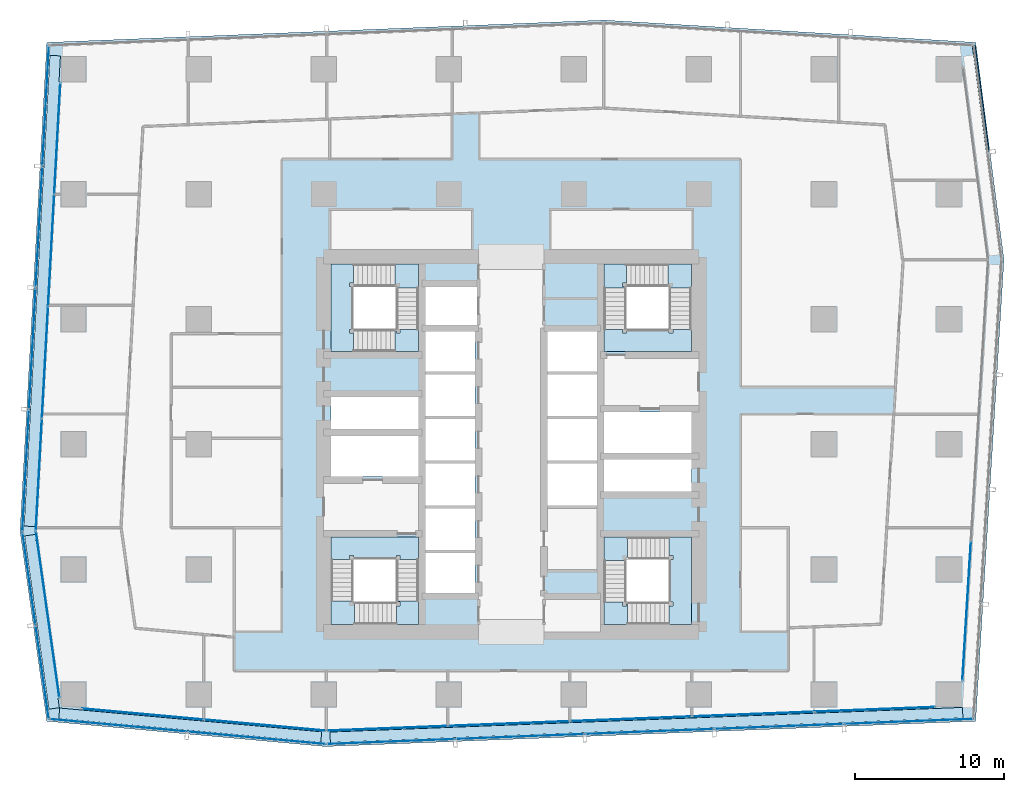
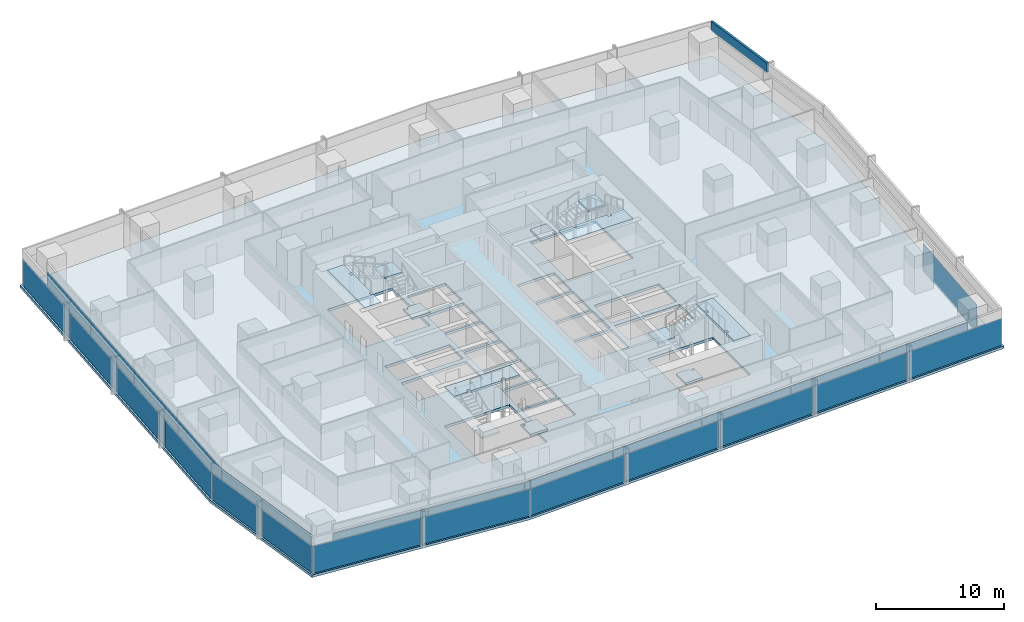
# One storey, part 27 of 40: 30 plates, 13 slabs, 1 member, 14 elements without a shape of their own.
"""IFC4 building model written with IfcOpenShell, lengths in metres."""

import ifcopenshell
import ifcopenshell.guid

model = None  # the IFC model being written
_history = None  # IfcOwnerHistory: only IFC2X3 demands one
_inside = {}  # id of a spatial element -> (the spatial element, [elements in it])
_under = {}  # id of a project, library or spatial element -> (it, [spatial elements below it])
_declared = {}  # id of a project -> (the project, [libraries it declares])
_typed = {}  # id of a type object -> (the type object, [elements of that type])
_made_of = {}  # id of a material, layer set ... -> (it, [elements and type objects made of it])


def new_model(schema):
    """Start an empty IFC model of exactly this schema.

    Asked for "IFC4X3", IfcOpenShell would pick the latest addendum, in which some entities
    have other attributes; the version numbers below select the first issue.
    IFC2X3 requires an IfcOwnerHistory on every rooted entity: one is made here for all.
    """
    global model, _history
    if schema == "IFC4X3":
        model = ifcopenshell.file(schema_version=(4, 3, 0, 0))
    else:
        model = ifcopenshell.file(schema=schema)
    _inside.clear()
    _under.clear()
    _declared.clear()
    _typed.clear()
    _made_of.clear()
    _history = None
    if model.schema == "IFC2X3":
        org = make("IfcOrganization", Name="unknown")
        user = make(
            "IfcPersonAndOrganization",
            ThePerson=make("IfcPerson", FamilyName="unknown"),
            TheOrganization=org,
        )
        app = make(
            "IfcApplication",
            ApplicationDeveloper=org,
            Version="unknown",
            ApplicationFullName="unknown",
            ApplicationIdentifier="unknown",
        )
        _history = make(
            "IfcOwnerHistory",
            OwningUser=user,
            OwningApplication=app,
            ChangeAction="ADDED",
            CreationDate=0,
        )
    return model


def make(cls, **values):
    """One entity of the class cls with the attributes given. An attribute that is None is left unset."""
    return model.create_entity(
        cls, **{name: value for name, value in values.items() if value is not None}
    )


def rooted(cls, **values):
    """An entity with a GlobalId (a new one), such as an element, a storey or a relation."""
    return make(cls, GlobalId=ifcopenshell.guid.new(), OwnerHistory=_history, **values)


def si_unit(unit_type, name, prefix=None):
    """IfcSIUnit, for example si_unit("LENGTHUNIT", "METRE", prefix="MILLI")."""
    return make("IfcSIUnit", UnitType=unit_type, Prefix=prefix, Name=name)


def assignment(units):
    """IfcUnitAssignment: the units of a project."""
    return None if units is None else make("IfcUnitAssignment", Units=units)


def point(xyz):
    """IfcCartesianPoint."""
    return None if xyz is None else make("IfcCartesianPoint", Coordinates=xyz)


def direction(xyz):
    """IfcDirection."""
    return None if xyz is None else make("IfcDirection", DirectionRatios=xyz)


def frame(location, z_axis=None, x_axis=None):
    """IfcAxis2Placement3D, a coordinate frame: its origin and axes. An axis left out is left unset."""
    return make(
        "IfcAxis2Placement3D",
        Location=point(location),
        Axis=direction(z_axis),
        RefDirection=direction(x_axis),
    )


def frame_2d(location, x_axis=None):
    """IfcAxis2Placement2D, a coordinate frame in the plane: its origin and x axis."""
    return make(
        "IfcAxis2Placement2D", Location=point(location), RefDirection=direction(x_axis)
    )


def origin():
    """The frame at (0, 0, 0) with its axes left unset."""
    return frame((0.0, 0.0, 0.0))


def origin_2d():
    """The frame at (0, 0) in the plane with its x axis left unset."""
    return frame_2d((0.0, 0.0))


def place(relative_to, where):
    """IfcLocalPlacement: puts the frame where relative to a parent placement (None: the world)."""
    return make(
        "IfcLocalPlacement", PlacementRelTo=relative_to, RelativePlacement=where
    )


def context(
    kind, dimensions, precision=None, world=None, true_north=None, identifier=None
):
    """IfcGeometricRepresentationContext, for example the 3D "Model" context."""
    return make(
        "IfcGeometricRepresentationContext",
        ContextIdentifier=identifier,
        ContextType=kind,
        CoordinateSpaceDimension=dimensions,
        Precision=precision,
        WorldCoordinateSystem=world,
        TrueNorth=true_north,
    )


def subcontext(parent, identifier, kind, view, scale=None):
    """IfcGeometricRepresentationSubContext, for example "Body" below "Model"."""
    return make(
        "IfcGeometricRepresentationSubContext",
        ContextIdentifier=identifier,
        ContextType=kind,
        ParentContext=parent,
        TargetScale=scale,
        TargetView=view,
    )


def project(units=None, contexts=None):
    """IfcProject with its units and contexts."""
    return rooted(
        "IfcProject",
        Name="project",
        RepresentationContexts=contexts,
        UnitsInContext=assignment(units),
    )


def spatial(cls, under=None, at=None, **own):
    """A site, building, storey or space (cls), placed at a placement, below another one or the project."""
    s = rooted(cls, ObjectPlacement=at, **own)
    if under is not None:
        _under.setdefault(under.id(), (under, []))[1].append(s)
    return s


def polyline(points):
    """IfcPolyline through the points."""
    return make("IfcPolyline", Points=[point(p) for p in points])


def profile(cls, at=None, kind="AREA", **sizes):
    """A parametric profile (cls). Its sizes go by their IFC names, for example OverallWidth=200.0."""
    return make(cls, ProfileType=kind, Position=at, **sizes)


def rectangle(**sizes):
    """IfcRectangleProfileDef."""
    return profile("IfcRectangleProfileDef", **sizes)


def hollow_rectangle(**sizes):
    """IfcRectangleHollowProfileDef."""
    return profile("IfcRectangleHollowProfileDef", **sizes)


def outline(outer, holes=None, kind="AREA"):
    """IfcArbitraryClosedProfileDef: a profile drawn as a closed curve; with holes, ...WithVoids."""
    if holes is None:
        return make("IfcArbitraryClosedProfileDef", ProfileType=kind, OuterCurve=outer)
    return make(
        "IfcArbitraryProfileDefWithVoids",
        ProfileType=kind,
        OuterCurve=outer,
        InnerCurves=holes,
    )


def extrude(swept, where, along, depth):
    """IfcExtrudedAreaSolid: the profile swept, set in the frame where, extruded along a direction by depth."""
    return make(
        "IfcExtrudedAreaSolid",
        SweptArea=swept,
        Position=where,
        ExtrudedDirection=direction(along),
        Depth=depth,
    )


def shape(context_of_items, identifier, shape_type, items):
    """IfcShapeRepresentation: the items that make up one representation, for example the "Body"."""
    return make(
        "IfcShapeRepresentation",
        ContextOfItems=context_of_items,
        RepresentationIdentifier=identifier,
        RepresentationType=shape_type,
        Items=items,
    )


def material(Name=None, Category=None):
    """IfcMaterial."""
    return make("IfcMaterial", Name=Name, Category=Category)


def layer(
    of_material, thickness, ventilated=None, Name=None, Category=None, Priority=None
):
    """IfcMaterialLayer: one layer of a wall or slab, of a material (None: an air gap)."""
    return make(
        "IfcMaterialLayer",
        Material=of_material,
        LayerThickness=thickness,
        IsVentilated=ventilated,
        Name=Name,
        Category=Category,
        Priority=Priority,
    )


def layer_set(layers, Name=None):
    """IfcMaterialLayerSet."""
    return make("IfcMaterialLayerSet", MaterialLayers=layers, LayerSetName=Name)


def material_profile(
    of_material, cross_section, Name=None, Category=None, Priority=None
):
    """IfcMaterialProfile: a cross section and its material."""
    return make(
        "IfcMaterialProfile",
        Name=Name,
        Material=of_material,
        Profile=cross_section,
        Priority=Priority,
        Category=Category,
    )


def profile_set(profiles, Name=None, composite=None):
    """IfcMaterialProfileSet."""
    return make(
        "IfcMaterialProfileSet",
        Name=Name,
        MaterialProfiles=profiles,
        CompositeProfile=composite,
    )


def made_of(thing, what):
    """Note that an element or type object is made of a material, layer set ...; save() writes the relation."""
    if what is not None:
        _made_of.setdefault(what.id(), (what, []))[1].append(thing)
    return thing


def type_object(cls, material=None, **own):
    """A type object (cls), such as IfcWallType, which elements share."""
    return made_of(rooted(cls, **own), material)


def element(
    cls,
    number,
    at=None,
    inside=None,
    cuts=None,
    type_object=None,
    material=None,
    context=None,
    identifier="Body",
    shape_type=None,
    held_by="IfcProductDefinitionShape",
    body=None,
    shapes=None,
    **own,
):
    """One element of the class cls, such as IfcWall. Its Tag is "e" and its number.

    at: its placement. inside: the storey or other place that contains it. cuts: it is an
    opening in that element (IfcRelVoidsElement). A single representation is given by context,
    identifier, shape_type and body (its items); several are given by shapes. held_by: the class
    of the entity that holds the representations. save() writes the other relations.
    """
    e = rooted(cls, Tag="e%d" % number, ObjectPlacement=at, **own)
    if body is not None:
        shapes = [shape(context, identifier, shape_type, body)]
    if shapes is not None:
        e.Representation = make(held_by, Representations=shapes)
    if inside is not None:
        _inside.setdefault(inside.id(), (inside, []))[1].append(e)
    if cuts is not None:
        rooted(
            "IfcRelVoidsElement", RelatingBuildingElement=cuts, RelatedOpeningElement=e
        )
    if type_object is not None:
        _typed.setdefault(type_object.id(), (type_object, []))[1].append(e)
    return made_of(e, material)


def aggregate(whole, parts):
    """IfcRelAggregates: a whole, such as a stair, and the parts it consists of."""
    return rooted("IfcRelAggregates", RelatingObject=whole, RelatedObjects=parts)


def save(model, path):
    """Write the relations noted so far, then the file.

    IfcRelAggregates (storeys below a building ...), IfcRelContainedInSpatialStructure (elements
    in a storey), IfcRelDefinesByType, IfcRelAssociatesMaterial and IfcRelDeclares: one each for
    every whole, place, type object, material and project.
    """
    for whole, parts in _under.values():
        aggregate(whole, parts)
    for where, things in _inside.values():
        rooted(
            "IfcRelContainedInSpatialStructure",
            RelatedElements=things,
            RelatingStructure=where,
        )
    for kind, things in _typed.values():
        rooted("IfcRelDefinesByType", RelatedObjects=things, RelatingType=kind)
    for what, things in _made_of.values():
        rooted("IfcRelAssociatesMaterial", RelatedObjects=things, RelatingMaterial=what)
    for by, libraries in _declared.values():
        rooted("IfcRelDeclares", RelatingContext=by, RelatedDefinitions=libraries)
    model.write(path)


model = new_model("IFC4")

# Units and contexts
model_context = context("Model", 3, precision=1e-05, world=origin(), true_north=direction((0.0, 1.0)))
body_context = subcontext(model_context, "Body", "Model", "MODEL_VIEW")
ifc_project = project(units=[si_unit("LENGTHUNIT", "METRE"), si_unit("AREAUNIT", "SQUARE_METRE"), si_unit("VOLUMEUNIT", "CUBIC_METRE"), si_unit("PLANEANGLEUNIT", "RADIAN"), si_unit("MASSUNIT", "GRAM", prefix="KILO")], contexts=[model_context])

# Site, building, storey
site_placement = place(None, origin())
site = spatial("IfcSite", under=ifc_project, at=site_placement, CompositionType="ELEMENT")
building_placement = place(site_placement, origin())
building = spatial("IfcBuilding", under=site, at=building_placement, Name="Rekha Terrace Tower", CompositionType="ELEMENT")
storey_placement = place(building_placement, frame((0.0, 0.0, 140.300048828125)))
storey = spatial("IfcBuildingStorey", under=building, at=storey_placement, Name="L35", CompositionType="ELEMENT", Elevation=140.300048828125)

# Curtain wall, member
ifc_material_1 = material(Name="Aluminium framing", Category="aluminium")
curtain_wall_type_1 = type_object("IfcCurtainWallType", Name="CW2 double skin outer glazing", PredefinedType="USERDEFINED", material=ifc_material_1)
curtain_wall_1_placement = place(storey_placement, origin())
curtain_wall_1 = element("IfcCurtainWall", 1, at=curtain_wall_1_placement, inside=storey, type_object=curtain_wall_type_1, Name="CW2 double skin outer glazing", ObjectType="DOUBLE SKIN OUTER GLAZING", PredefinedType="USERDEFINED")
ifc_material_2 = material(Name="Insulated aluminium spandrel box", Category="aluminium")
ifc_material_profile = material_profile(ifc_material_2, hollow_rectangle(XDim=0.199951171875, YDim=0.89990234375, WallThickness=0.0029296875, at=origin_2d()), Name="AL SPANDREL BOX 200x900")
ifc_profile_set = profile_set([ifc_material_profile], Name="Insulated aluminium spandrel box")
member_type = type_object("IfcMemberType", Name="CW2 spandrel transom 200 x 900", PredefinedType="USERDEFINED", material=ifc_profile_set)
member_placement = place(storey_placement, frame((69.793701171875, 53.26513671875, 3.050048828125), z_axis=(-0.12912937971, 0.9916277544, 0.0), x_axis=(-0.9916277544, -0.12912937971, 0.0)))
member = element("IfcMember", 2, at=member_placement, type_object=member_type, Name="CW2 spandrel transom 2", ObjectType="TRANSOM", PredefinedType="USERDEFINED", context=body_context, shape_type="SweptSolid", body=[
    extrude(hollow_rectangle(XDim=0.199951171875, YDim=0.89990234375, WallThickness=0.0029296875, at=origin_2d()), origin(), (0.0, 0.0, 1.0), 7.163818359375),
])
aggregate(curtain_wall_1, [member])

# Curtain wall, plates
curtain_wall_type_2 = type_object("IfcCurtainWallType", Name="CW1 double skin inner glazing", PredefinedType="USERDEFINED", material=ifc_material_1)
curtain_wall_2_placement = place(storey_placement, origin())
curtain_wall_2 = element("IfcCurtainWall", 3, at=curtain_wall_2_placement, inside=storey, type_object=curtain_wall_type_2, Name="CW1 double skin inner glazing", ObjectType="DOUBLE SKIN INNER GLAZING", PredefinedType="USERDEFINED")
ifc_material_3 = material(Name="Double-glazed low-e unit 32", Category="glass")
ifc_layer_1 = layer(ifc_material_3, 0.031982421875)
ifc_layer_set_1 = layer_set([ifc_layer_1], Name="Double-glazed low-e unit 32")
plate_type_1 = type_object("IfcPlateType", Name="CW1 jumbo vision panel, double-glazed low-e unit 32", PredefinedType="CURTAIN_PANEL", material=ifc_layer_set_1)
plate_1_placement = place(storey_placement, frame((13.0439453125, 15.479248046875, 0.0), z_axis=(0.0, 0.0, 1.0), x_axis=(0.995901923142, -0.090439811381, 0.0)))
plate_1 = element("IfcPlate", 4, at=plate_1_placement, type_object=plate_type_1, Name="CW1 panel 1.1", PredefinedType="CURTAIN_PANEL", context=body_context, shape_type="SweptSolid", body=[
    extrude(rectangle(XDim=8.1494140625, YDim=0.031982421875, at=origin_2d()), origin(), (0.0, 0.0, 1.0), 2.60009765625),
])
plate_2_placement = place(storey_placement, frame((21.257080078125, 14.7333984375, 0.0), z_axis=(0.0, 0.0, 1.0), x_axis=(0.995901923142, -0.090439811381, 0.0)))
plate_2 = element("IfcPlate", 5, at=plate_2_placement, type_object=plate_type_1, Name="CW1 panel 2.1", PredefinedType="CURTAIN_PANEL", context=body_context, shape_type="SweptSolid", body=[
    extrude(rectangle(XDim=8.214599609375, YDim=0.031982421875, at=origin_2d()), origin(), (0.0, 0.0, 1.0), 2.60009765625),
])
aggregate(curtain_wall_2, [plate_1, plate_2])

curtain_wall_3_placement = place(storey_placement, origin())
curtain_wall_3 = element("IfcCurtainWall", 6, at=curtain_wall_3_placement, inside=storey, type_object=curtain_wall_type_2, Name="CW1 double skin inner glazing", ObjectType="DOUBLE SKIN INNER GLAZING", PredefinedType="USERDEFINED")
plate_3_placement = place(storey_placement, frame((29.4619140625, 14.52197265625, 0.0), z_axis=(0.0, 0.0, 1.0), x_axis=(0.999243498917, 0.038889971345, 0.0)))
plate_3 = element("IfcPlate", 7, at=plate_3_placement, type_object=plate_type_1, Name="CW1 panel 1.1", PredefinedType="CURTAIN_PANEL", context=body_context, shape_type="SweptSolid", body=[
    extrude(rectangle(XDim=8.105224609375, YDim=0.031982421875, at=origin_2d()), origin(), (0.0, 0.0, 1.0), 2.60009765625),
])
plate_4_placement = place(storey_placement, frame((37.64208984375, 14.84033203125, 0.0), z_axis=(0.0, 0.0, 1.0), x_axis=(0.999243498917, 0.038889971345, 0.0)))
plate_4 = element("IfcPlate", 8, at=plate_4_placement, type_object=plate_type_1, Name="CW1 panel 2.1", PredefinedType="CURTAIN_PANEL", context=body_context, shape_type="SweptSolid", body=[
    extrude(rectangle(XDim=8.1376953125, YDim=0.031982421875, at=origin_2d()), origin(), (0.0, 0.0, 1.0), 2.60009765625),
])
plate_5_placement = place(storey_placement, frame((45.838623046875, 15.159423828125, 0.0), z_axis=(0.0, 0.0, 1.0), x_axis=(0.999243498917, 0.038889971345, 0.0)))
plate_5 = element("IfcPlate", 9, at=plate_5_placement, type_object=plate_type_1, Name="CW1 panel 3.1", PredefinedType="CURTAIN_PANEL", context=body_context, shape_type="SweptSolid", body=[
    extrude(rectangle(XDim=8.1376953125, YDim=0.031982421875, at=origin_2d()), origin(), (0.0, 0.0, 1.0), 2.60009765625),
])
plate_6_placement = place(storey_placement, frame((54.034912109375, 15.478271484375, 0.0), z_axis=(0.0, 0.0, 1.0), x_axis=(0.999243498917, 0.038889971345, 0.0)))
plate_6 = element("IfcPlate", 10, at=plate_6_placement, type_object=plate_type_1, Name="CW1 panel 4.1", PredefinedType="CURTAIN_PANEL", context=body_context, shape_type="SweptSolid", body=[
    extrude(rectangle(XDim=8.1376953125, YDim=0.031982421875, at=origin_2d()), origin(), (0.0, 0.0, 1.0), 2.60009765625),
])
plate_7_placement = place(storey_placement, frame((62.21533203125, 15.796630859375, 0.0), z_axis=(0.0, 0.0, 1.0), x_axis=(0.999243498917, 0.038889971345, 0.0)))
plate_7 = element("IfcPlate", 11, at=plate_7_placement, type_object=plate_type_1, Name="CW1 panel 5.1", PredefinedType="CURTAIN_PANEL", context=body_context, shape_type="SweptSolid", body=[
    extrude(rectangle(XDim=8.105224609375, YDim=0.031982421875, at=origin_2d()), origin(), (0.0, 0.0, 1.0), 2.60009765625),
])
aggregate(curtain_wall_3, [plate_3, plate_4, plate_5, plate_6, plate_7])

# Curtain wall, plate
curtain_wall_4_placement = place(storey_placement, origin())
curtain_wall_4 = element("IfcCurtainWall", 12, at=curtain_wall_4_placement, inside=storey, type_object=curtain_wall_type_2, Name="CW1 double skin inner glazing", ObjectType="DOUBLE SKIN INNER GLAZING", PredefinedType="USERDEFINED")
plate_8_placement = place(storey_placement, frame((68.391357421875, 22.400634765625, 0.0), z_axis=(0.0, 0.0, 1.0), x_axis=(0.061159803131, 0.998127987024, 0.0)))
plate_8 = element("IfcPlate", 13, at=plate_8_placement, type_object=plate_type_1, Name="CW1 panel 1.1", PredefinedType="CURTAIN_PANEL", context=body_context, shape_type="SweptSolid", body=[
    extrude(rectangle(XDim=9.355224609375, YDim=0.031982421875, at=origin_2d()), origin(), (0.0, 0.0, 1.0), 2.60009765625),
])
aggregate(curtain_wall_4, [plate_8])

# Curtain wall, plates
curtain_wall_5_placement = place(storey_placement, origin())
curtain_wall_5 = element("IfcCurtainWall", 14, at=curtain_wall_5_placement, inside=storey, type_object=curtain_wall_type_2, Name="CW1 double skin inner glazing", ObjectType="DOUBLE SKIN INNER GLAZING", PredefinedType="USERDEFINED")
plate_9_placement = place(storey_placement, frame((7.30810546875, 54.15087890625, 0.0), z_axis=(0.0, 0.0, 1.0), x_axis=(-0.054742352707, -0.99850051318, 0.0)))
plate_9 = element("IfcPlate", 15, at=plate_9_placement, type_object=plate_type_1, Name="CW1 panel 1.1", PredefinedType="CURTAIN_PANEL", context=body_context, shape_type="SweptSolid", body=[
    extrude(rectangle(XDim=7.443359375, YDim=0.031982421875, at=origin_2d()), origin(), (0.0, 0.0, 1.0), 2.60009765625),
])
plate_10_placement = place(storey_placement, frame((6.89599609375, 46.637451171875, 0.0), z_axis=(0.0, 0.0, 1.0), x_axis=(-0.054742352707, -0.99850051318, 0.0)))
plate_10 = element("IfcPlate", 16, at=plate_10_placement, type_object=plate_type_1, Name="CW1 panel 2.1", PredefinedType="CURTAIN_PANEL", context=body_context, shape_type="SweptSolid", body=[
    extrude(rectangle(XDim=7.475830078125, YDim=0.031982421875, at=origin_2d()), origin(), (0.0, 0.0, 1.0), 2.60009765625),
])
plate_11_placement = place(storey_placement, frame((6.4833984375, 39.10791015625, 0.0), z_axis=(0.0, 0.0, 1.0), x_axis=(-0.054742352707, -0.99850051318, 0.0)))
plate_11 = element("IfcPlate", 17, at=plate_11_placement, type_object=plate_type_1, Name="CW1 panel 3.1", PredefinedType="CURTAIN_PANEL", context=body_context, shape_type="SweptSolid", body=[
    extrude(rectangle(XDim=7.475830078125, YDim=0.031982421875, at=origin_2d()), origin(), (0.0, 0.0, 1.0), 2.60009765625),
])
plate_12_placement = place(storey_placement, frame((6.069580078125, 31.56201171875, 0.0), z_axis=(0.0, 0.0, 1.0), x_axis=(-0.054742352707, -0.99850051318, 0.0)))
plate_12 = element("IfcPlate", 18, at=plate_12_placement, type_object=plate_type_1, Name="CW1 panel 4.1", PredefinedType="CURTAIN_PANEL", context=body_context, shape_type="SweptSolid", body=[
    extrude(rectangle(XDim=7.508544921875, YDim=0.031982421875, at=origin_2d()), origin(), (0.0, 0.0, 1.0), 2.60009765625),
])
aggregate(curtain_wall_5, [plate_9, plate_10, plate_11, plate_12])

# Curtain wall, plate
curtain_wall_6_placement = place(storey_placement, origin())
curtain_wall_6 = element("IfcCurtainWall", 19, at=curtain_wall_6_placement, inside=storey, type_object=curtain_wall_type_2, Name="CW1 double skin inner glazing", ObjectType="DOUBLE SKIN INNER GLAZING", PredefinedType="USERDEFINED")
plate_13_placement = place(storey_placement, frame((6.65869140625, 22.177490234375, 0.0), z_axis=(0.0, 0.0, 1.0), x_axis=(0.139597048082, -0.990208394312, 0.0)))
plate_13 = element("IfcPlate", 20, at=plate_13_placement, type_object=plate_type_1, Name="CW1 panel 1.1", PredefinedType="CURTAIN_PANEL", context=body_context, shape_type="SweptSolid", body=[
    extrude(rectangle(XDim=11.253173828125, YDim=0.031982421875, at=origin_2d()), origin(), (0.0, 0.0, 1.0), 2.60009765625),
])
aggregate(curtain_wall_6, [plate_13])

# Curtain wall, plates
curtain_wall_7_placement = place(storey_placement, origin())
curtain_wall_7 = element("IfcCurtainWall", 21, at=curtain_wall_7_placement, inside=storey, type_object=curtain_wall_type_1, Name="CW2 double skin outer glazing", ObjectType="DOUBLE SKIN OUTER GLAZING", PredefinedType="USERDEFINED")
ifc_material_4 = material(Name="Toughened single glazing 12", Category="glass")
ifc_layer_2 = layer(ifc_material_4, 0.011962890625)
ifc_layer_set_2 = layer_set([ifc_layer_2], Name="Toughened single glazing 12")
plate_type_2 = type_object("IfcPlateType", Name="CW2 jumbo vision panel, toughened single glazing 12", PredefinedType="CURTAIN_PANEL", material=ifc_layer_set_2)
plate_14_placement = place(storey_placement, frame((11.406494140625, 14.72412109375, 0.0), z_axis=(0.0, 0.0, 1.0), x_axis=(0.995901923137, -0.090439811433, 0.0)))
plate_14 = element("IfcPlate", 22, at=plate_14_placement, type_object=plate_type_2, Name="CW2 panel 1.1", PredefinedType="CURTAIN_PANEL", context=body_context, shape_type="SweptSolid", body=[
    extrude(rectangle(XDim=9.2099609375, YDim=0.011962890625, at=origin_2d()), origin(), (0.0, 0.0, 1.0), 2.60009765625),
])
plate_15_placement = place(storey_placement, frame((20.6982421875, 13.88037109375, 0.0), z_axis=(0.0, 0.0, 1.0), x_axis=(0.995901923137, -0.090439811433, 0.0)))
plate_15 = element("IfcPlate", 23, at=plate_15_placement, type_object=plate_type_2, Name="CW2 panel 2.1", PredefinedType="CURTAIN_PANEL", context=body_context, shape_type="SweptSolid", body=[
    extrude(rectangle(XDim=9.2900390625, YDim=0.011962890625, at=origin_2d()), origin(), (0.0, 0.0, 1.0), 2.60009765625),
])
aggregate(curtain_wall_7, [plate_14, plate_15])

curtain_wall_8_placement = place(storey_placement, origin())
curtain_wall_8 = element("IfcCurtainWall", 24, at=curtain_wall_8_placement, inside=storey, type_object=curtain_wall_type_1, Name="CW2 double skin outer glazing", ObjectType="DOUBLE SKIN OUTER GLAZING", PredefinedType="USERDEFINED")
plate_16_placement = place(storey_placement, frame((29.696533203125, 13.63037109375, 0.0), z_axis=(0.0, 0.0, 1.0), x_axis=(0.999243498917, 0.038889971345, 0.0)))
plate_16 = element("IfcPlate", 25, at=plate_16_placement, type_object=plate_type_2, Name="CW2 panel 1.1", PredefinedType="CURTAIN_PANEL", context=body_context, shape_type="SweptSolid", body=[
    extrude(rectangle(XDim=8.591552734375, YDim=0.011962890625, at=origin_2d()), origin(), (0.0, 0.0, 1.0), 2.60009765625),
])
plate_17_placement = place(storey_placement, frame((38.381591796875, 13.968505859375, 0.0), z_axis=(0.0, 0.0, 1.0), x_axis=(0.999243498917, 0.038889971345, 0.0)))
plate_17 = element("IfcPlate", 26, at=plate_17_placement, type_object=plate_type_2, Name="CW2 panel 2.1", PredefinedType="CURTAIN_PANEL", context=body_context, shape_type="SweptSolid", body=[
    extrude(rectangle(XDim=8.631591796875, YDim=0.011962890625, at=origin_2d()), origin(), (0.0, 0.0, 1.0), 2.60009765625),
])
plate_18_placement = place(storey_placement, frame((47.086669921875, 14.307373046875, 0.0), z_axis=(0.0, 0.0, 1.0), x_axis=(0.999243498917, 0.038889971345, 0.0)))
plate_18 = element("IfcPlate", 27, at=plate_18_placement, type_object=plate_type_2, Name="CW2 panel 3.1", PredefinedType="CURTAIN_PANEL", context=body_context, shape_type="SweptSolid", body=[
    extrude(rectangle(XDim=8.631591796875, YDim=0.011962890625, at=origin_2d()), origin(), (0.0, 0.0, 1.0), 2.60009765625),
])
plate_19_placement = place(storey_placement, frame((55.791748046875, 14.64599609375, 0.0), z_axis=(0.0, 0.0, 1.0), x_axis=(0.999243498917, 0.038889971345, 0.0)))
plate_19 = element("IfcPlate", 28, at=plate_19_placement, type_object=plate_type_2, Name="CW2 panel 4.1", PredefinedType="CURTAIN_PANEL", context=body_context, shape_type="SweptSolid", body=[
    extrude(rectangle(XDim=8.631591796875, YDim=0.011962890625, at=origin_2d()), origin(), (0.0, 0.0, 1.0), 2.60009765625),
])
plate_20_placement = place(storey_placement, frame((64.5166015625, 14.985595703125, 0.0), z_axis=(0.0, 0.0, 1.0), x_axis=(0.999243498917, 0.038889971345, 0.0)))
plate_20 = element("IfcPlate", 29, at=plate_20_placement, type_object=plate_type_2, Name="CW2 panel 5.1", PredefinedType="CURTAIN_PANEL", context=body_context, shape_type="SweptSolid", body=[
    extrude(rectangle(XDim=8.671630859375, YDim=0.011962890625, at=origin_2d()), origin(), (0.0, 0.0, 1.0), 2.60009765625),
])
aggregate(curtain_wall_8, [plate_16, plate_17, plate_18, plate_19, plate_20])

curtain_wall_9_placement = place(storey_placement, origin())
curtain_wall_9 = element("IfcCurtainWall", 30, at=curtain_wall_9_placement, inside=storey, type_object=curtain_wall_type_1, Name="CW2 double skin outer glazing", ObjectType="DOUBLE SKIN OUTER GLAZING", PredefinedType="USERDEFINED")
plate_21_placement = place(storey_placement, frame((6.52685546875, 56.342041015625, 0.0), z_axis=(0.0, 0.0, 1.0), x_axis=(-0.054742352707, -0.99850051318, 0.0)))
plate_21 = element("IfcPlate", 31, at=plate_21_placement, type_object=plate_type_2, Name="CW2 panel 1.1", PredefinedType="CURTAIN_PANEL", context=body_context, shape_type="SweptSolid", body=[
    extrude(rectangle(XDim=8.06005859375, YDim=0.011962890625, at=origin_2d()), origin(), (0.0, 0.0, 1.0), 2.60009765625),
])
plate_22_placement = place(storey_placement, frame((6.080078125, 48.1943359375, 0.0), z_axis=(0.0, 0.0, 1.0), x_axis=(-0.054742352707, -0.99850051318, 0.0)))
plate_22 = element("IfcPlate", 32, at=plate_22_placement, type_object=plate_type_2, Name="CW2 panel 2.1", PredefinedType="CURTAIN_PANEL", context=body_context, shape_type="SweptSolid", body=[
    extrude(rectangle(XDim=8.10009765625, YDim=0.011962890625, at=origin_2d()), origin(), (0.0, 0.0, 1.0), 2.60009765625),
])
plate_23_placement = place(storey_placement, frame((5.63232421875, 40.026611328125, 0.0), z_axis=(0.0, 0.0, 1.0), x_axis=(-0.054742352707, -0.99850051318, 0.0)))
plate_23 = element("IfcPlate", 33, at=plate_23_placement, type_object=plate_type_2, Name="CW2 panel 3.1", PredefinedType="CURTAIN_PANEL", context=body_context, shape_type="SweptSolid", body=[
    extrude(rectangle(XDim=8.10009765625, YDim=0.011962890625, at=origin_2d()), origin(), (0.0, 0.0, 1.0), 2.60009765625),
])
plate_24_placement = place(storey_placement, frame((5.183349609375, 31.8388671875, 0.0), z_axis=(0.0, 0.0, 1.0), x_axis=(-0.054742352707, -0.99850051318, 0.0)))
plate_24 = element("IfcPlate", 34, at=plate_24_placement, type_object=plate_type_2, Name="CW2 panel 4.1", PredefinedType="CURTAIN_PANEL", context=body_context, shape_type="SweptSolid", body=[
    extrude(rectangle(XDim=8.14013671875, YDim=0.011962890625, at=origin_2d()), origin(), (0.0, 0.0, 1.0), 2.60009765625),
])
aggregate(curtain_wall_9, [plate_21, plate_22, plate_23, plate_24])

curtain_wall_10_placement = place(storey_placement, origin())
curtain_wall_10 = element("IfcCurtainWall", 35, at=curtain_wall_10_placement, inside=storey, type_object=curtain_wall_type_1, Name="CW2 double skin outer glazing", ObjectType="DOUBLE SKIN OUTER GLAZING", PredefinedType="USERDEFINED")
plate_25_placement = place(storey_placement, frame((5.408447265625, 24.598388671875, 0.0), z_axis=(0.0, 0.0, 1.0), x_axis=(0.139597048082, -0.990208394312, 0.0)))
plate_25 = element("IfcPlate", 36, at=plate_25_placement, type_object=plate_type_2, Name="CW2 panel 1.1", PredefinedType="CURTAIN_PANEL", context=body_context, shape_type="SweptSolid", body=[
    extrude(rectangle(XDim=6.255859375, YDim=0.011962890625, at=origin_2d()), origin(), (0.0, 0.0, 1.0), 2.60009765625),
])
plate_26_placement = place(storey_placement, frame((6.298583984375, 18.284912109375, 0.0), z_axis=(0.0, 0.0, 1.0), x_axis=(0.139597048082, -0.990208394312, 0.0)))
plate_26 = element("IfcPlate", 37, at=plate_26_placement, type_object=plate_type_2, Name="CW2 panel 2.1", PredefinedType="CURTAIN_PANEL", context=body_context, shape_type="SweptSolid", body=[
    extrude(rectangle(XDim=6.3359375, YDim=0.011962890625, at=origin_2d()), origin(), (0.0, 0.0, 1.0), 2.60009765625),
])
aggregate(curtain_wall_10, [plate_25, plate_26])

# Plates
ifc_material_5 = material(Name="Galvanised steel open grating", Category="steel")
ifc_layer_3 = layer(ifc_material_5, 0.050048828125)
ifc_layer_set_3 = layer_set([ifc_layer_3], Name="Galvanised steel open grating")
plate_type_3 = type_object("IfcPlateType", Name="GT1 cavity walkway grating 50", PredefinedType="USERDEFINED", material=ifc_layer_set_3)
plate_27_placement = place(storey_placement, frame((16.236083984375, 14.737548828125, 0.0), z_axis=(0.0, 0.0, 1.0), x_axis=(0.99590192314, -0.090439811399, 0.0)))
element("IfcPlate", 38, at=plate_27_placement, inside=storey, type_object=plate_type_3, Name="Cavity walkway grating", ObjectType="CAVITY WALKWAY GRATING", PredefinedType="USERDEFINED", context=body_context, shape_type="SweptSolid", body=[
    extrude(rectangle(XDim=17.674072265625, YDim=0.705078125, at=origin_2d()), origin(), (0.0, 0.0, 1.0), 0.050048828125),
])
plate_28_placement = place(storey_placement, frame((46.88037109375, 14.74951171875, 0.0), z_axis=(0.0, 0.0, 1.0), x_axis=(0.999243498917, 0.038889971345, 0.0)))
element("IfcPlate", 39, at=plate_28_placement, inside=storey, type_object=plate_type_3, Name="Cavity walkway grating", ObjectType="CAVITY WALKWAY GRATING", PredefinedType="USERDEFINED", context=body_context, shape_type="SweptSolid", body=[
    extrude(rectangle(XDim=42.521728515625, YDim=0.705078125, at=origin_2d()), origin(), (0.0, 0.0, 1.0), 0.050048828125),
])
plate_29_placement = place(storey_placement, frame((6.295654296875, 43.9033203125, 0.0), z_axis=(0.0, 0.0, 1.0), x_axis=(-0.05474235269, -0.998500513181, 0.0)))
element("IfcPlate", 40, at=plate_29_placement, inside=storey, type_object=plate_type_3, Name="Cavity walkway grating", ObjectType="CAVITY WALKWAY GRATING", PredefinedType="USERDEFINED", context=body_context, shape_type="SweptSolid", body=[
    extrude(rectangle(XDim=31.6669921875, YDim=0.705078125, at=origin_2d()), origin(), (0.0, 0.0, 1.0), 0.050048828125),
])
plate_30_placement = place(storey_placement, frame((6.2744140625, 21.678955078125, 0.0), z_axis=(0.0, 0.0, 1.0), x_axis=(0.139597048064, -0.990208394315, 0.0)))
element("IfcPlate", 41, at=plate_30_placement, inside=storey, type_object=plate_type_3, Name="Cavity walkway grating", ObjectType="CAVITY WALKWAY GRATING", PredefinedType="USERDEFINED", context=body_context, shape_type="SweptSolid", body=[
    extrude(rectangle(XDim=11.751220703125, YDim=0.705078125, at=origin_2d()), origin(), (0.0, 0.0, 1.0), 0.050048828125),
])

# Stair, slabs
ifc_material_6 = material(Name="Concrete M40", Category="concrete")
stair_type = type_object("IfcStairType", Name="ST30 stair, 30 risers of 125, going 310, 1500 wide flights, 3 flights", PredefinedType="HALF_TURN_STAIR", material=ifc_material_6)
stair_1_placement = place(storey_placement, origin())
stair_1 = element("IfcStair", 42, at=stair_1_placement, inside=storey, type_object=stair_type, Name="Stair ST1 L35 to L36", PredefinedType="HALF_TURN_STAIR")
ifc_layer_4 = layer(ifc_material_6, 0.199951171875)
ifc_layer_set_4 = layer_set([ifc_layer_4], Name="Concrete M40")
slab_type_1 = type_object("IfcSlabType", Name="LD1 200 concrete stair landing", PredefinedType="LANDING", material=ifc_layer_set_4)
slab_1_placement = place(storey_placement, frame((0.0, 0.0, 1.050048828125)))
slab_1 = element("IfcSlab", 43, at=slab_1_placement, type_object=slab_type_1, Name="ST1 landing 1", PredefinedType="LANDING", context=body_context, shape_type="SweptSolid", body=[
    extrude(outline(polyline([(30.074951171875, 21.5), (31.574951171875, 21.5), (31.574951171875, 23.0849609375), (30.074951171875, 23.0849609375), (30.074951171875, 23.0), (30.324951171875, 23.0), (30.324951171875, 22.75), (30.074951171875, 22.75), (30.074951171875, 21.5)])), origin(), (0.0, 0.0, 1.0), 0.199951171875),
])
slab_2_placement = place(storey_placement, frame((0.0, 0.0, 2.300048828125)))
slab_2 = element("IfcSlab", 44, at=slab_2_placement, type_object=slab_type_1, Name="ST1 landing 2", PredefinedType="LANDING", context=body_context, shape_type="SweptSolid", body=[
    extrude(outline(polyline([(27.199951171875, 23.0849609375), (25.699951171875, 23.0849609375), (25.699951171875, 21.5), (27.284912109375, 21.5), (27.284912109375, 23.0), (27.199951171875, 23.0), (27.199951171875, 23.0849609375)])), origin(), (0.0, 0.0, 1.0), 0.199951171875),
])
slab_3_placement = place(storey_placement, frame((0.0, 0.0, 3.550048828125)))
slab_3 = element("IfcSlab", 45, at=slab_3_placement, type_object=slab_type_1, Name="ST1 landing 3", PredefinedType="LANDING", context=body_context, shape_type="SweptSolid", body=[
    extrude(outline(polyline([(31.574951171875, 25.875), (31.574951171875, 27.375), (25.699951171875, 27.375), (25.699951171875, 25.875), (26.949951171875, 25.875), (26.949951171875, 26.125), (27.199951171875, 26.125), (27.199951171875, 25.875), (30.074951171875, 25.875), (30.074951171875, 26.125), (30.324951171875, 26.125), (30.324951171875, 25.875), (31.574951171875, 25.875)])), origin(), (0.0, 0.0, 1.0), 0.199951171875),
])
aggregate(stair_1, [slab_1, slab_2, slab_3])

stair_2_placement = place(storey_placement, origin())
stair_2 = element("IfcStair", 46, at=stair_2_placement, inside=storey, type_object=stair_type, Name="Stair ST2 L35 to L36", PredefinedType="HALF_TURN_STAIR")
slab_4_placement = place(storey_placement, frame((0.0, 0.0, 1.050048828125)))
slab_4 = element("IfcSlab", 47, at=slab_4_placement, type_object=slab_type_1, Name="ST2 landing 1", PredefinedType="LANDING", context=body_context, shape_type="SweptSolid", body=[
    extrude(outline(polyline([(45.52490234375, 45.699951171875), (44.02490234375, 45.699951171875), (44.02490234375, 44.114990234375), (45.52490234375, 44.114990234375), (45.52490234375, 44.199951171875), (45.27490234375, 44.199951171875), (45.27490234375, 44.449951171875), (45.52490234375, 44.449951171875), (45.52490234375, 45.699951171875)])), origin(), (0.0, 0.0, 1.0), 0.199951171875),
])
slab_5_placement = place(storey_placement, frame((0.0, 0.0, 2.300048828125)))
slab_5 = element("IfcSlab", 48, at=slab_5_placement, type_object=slab_type_1, Name="ST2 landing 2", PredefinedType="LANDING", context=body_context, shape_type="SweptSolid", body=[
    extrude(outline(polyline([(48.39990234375, 44.114990234375), (49.89990234375, 44.114990234375), (49.89990234375, 45.699951171875), (48.31494140625, 45.699951171875), (48.31494140625, 44.199951171875), (48.39990234375, 44.199951171875), (48.39990234375, 44.114990234375)])), origin(), (0.0, 0.0, 1.0), 0.199951171875),
])
slab_6_placement = place(storey_placement, frame((0.0, 0.0, 3.550048828125)))
slab_6 = element("IfcSlab", 49, at=slab_6_placement, type_object=slab_type_1, Name="ST2 landing 3", PredefinedType="LANDING", context=body_context, shape_type="SweptSolid", body=[
    extrude(outline(polyline([(44.02490234375, 41.324951171875), (44.02490234375, 39.824951171875), (49.89990234375, 39.824951171875), (49.89990234375, 41.324951171875), (48.64990234375, 41.324951171875), (48.64990234375, 41.074951171875), (48.39990234375, 41.074951171875), (48.39990234375, 41.324951171875), (45.52490234375, 41.324951171875), (45.52490234375, 41.074951171875), (45.27490234375, 41.074951171875), (45.27490234375, 41.324951171875), (44.02490234375, 41.324951171875)])), origin(), (0.0, 0.0, 1.0), 0.199951171875),
])
aggregate(stair_2, [slab_4, slab_5, slab_6])

stair_3_placement = place(storey_placement, origin())
stair_3 = element("IfcStair", 50, at=stair_3_placement, inside=storey, type_object=stair_type, Name="Stair ST3 L35 to L36", PredefinedType="HALF_TURN_STAIR")
slab_7_placement = place(storey_placement, frame((0.0, 0.0, 1.050048828125)))
slab_7 = element("IfcSlab", 51, at=slab_7_placement, type_object=slab_type_1, Name="ST3 landing 1", PredefinedType="LANDING", context=body_context, shape_type="SweptSolid", body=[
    extrude(outline(polyline([(44.02490234375, 23.0), (44.02490234375, 21.5), (45.610107421875, 21.5), (45.610107421875, 23.0), (45.52490234375, 23.0), (45.52490234375, 22.75), (45.27490234375, 22.75), (45.27490234375, 23.0), (44.02490234375, 23.0)])), origin(), (0.0, 0.0, 1.0), 0.199951171875),
])
slab_8_placement = place(storey_placement, frame((0.0, 0.0, 2.300048828125)))
slab_8 = element("IfcSlab", 52, at=slab_8_placement, type_object=slab_type_1, Name="ST3 landing 2", PredefinedType="LANDING", context=body_context, shape_type="SweptSolid", body=[
    extrude(outline(polyline([(45.610107421875, 25.875), (45.610107421875, 27.375), (44.02490234375, 27.375), (44.02490234375, 25.7900390625), (45.52490234375, 25.7900390625), (45.52490234375, 25.875), (45.610107421875, 25.875)])), origin(), (0.0, 0.0, 1.0), 0.199951171875),
])
slab_9_placement = place(storey_placement, frame((0.0, 0.0, 3.550048828125)))
slab_9 = element("IfcSlab", 53, at=slab_9_placement, type_object=slab_type_1, Name="ST3 landing 3", PredefinedType="LANDING", context=body_context, shape_type="SweptSolid", body=[
    extrude(outline(polyline([(48.39990234375, 21.5), (49.89990234375, 21.5), (49.89990234375, 27.375), (48.39990234375, 27.375), (48.39990234375, 26.125), (48.64990234375, 26.125), (48.64990234375, 25.875), (48.39990234375, 25.875), (48.39990234375, 23.0), (48.64990234375, 23.0), (48.64990234375, 22.75), (48.39990234375, 22.75), (48.39990234375, 21.5)])), origin(), (0.0, 0.0, 1.0), 0.199951171875),
])
aggregate(stair_3, [slab_7, slab_8, slab_9])

stair_4_placement = place(storey_placement, origin())
stair_4 = element("IfcStair", 54, at=stair_4_placement, inside=storey, type_object=stair_type, Name="Stair ST4 L35 to L36", PredefinedType="HALF_TURN_STAIR")
slab_10_placement = place(storey_placement, frame((0.0, 0.0, 1.050048828125)))
slab_10 = element("IfcSlab", 55, at=slab_10_placement, type_object=slab_type_1, Name="ST4 landing 1", PredefinedType="LANDING", context=body_context, shape_type="SweptSolid", body=[
    extrude(outline(polyline([(31.574951171875, 41.324951171875), (31.574951171875, 39.824951171875), (29.989990234375, 39.824951171875), (29.989990234375, 41.324951171875), (30.074951171875, 41.324951171875), (30.074951171875, 41.074951171875), (30.324951171875, 41.074951171875), (30.324951171875, 41.324951171875), (31.574951171875, 41.324951171875)])), origin(), (0.0, 0.0, 1.0), 0.199951171875),
])
slab_11_placement = place(storey_placement, frame((0.0, 0.0, 2.300048828125)))
slab_11 = element("IfcSlab", 56, at=slab_11_placement, type_object=slab_type_1, Name="ST4 landing 2", PredefinedType="LANDING", context=body_context, shape_type="SweptSolid", body=[
    extrude(outline(polyline([(29.989990234375, 44.199951171875), (29.989990234375, 45.699951171875), (31.574951171875, 45.699951171875), (31.574951171875, 44.114990234375), (30.074951171875, 44.114990234375), (30.074951171875, 44.199951171875), (29.989990234375, 44.199951171875)])), origin(), (0.0, 0.0, 1.0), 0.199951171875),
])
slab_12_placement = place(storey_placement, frame((0.0, 0.0, 3.550048828125)))
slab_12 = element("IfcSlab", 57, at=slab_12_placement, type_object=slab_type_1, Name="ST4 landing 3", PredefinedType="LANDING", context=body_context, shape_type="SweptSolid", body=[
    extrude(outline(polyline([(27.199951171875, 39.824951171875), (25.699951171875, 39.824951171875), (25.699951171875, 45.699951171875), (27.199951171875, 45.699951171875), (27.199951171875, 44.449951171875), (26.949951171875, 44.449951171875), (26.949951171875, 44.199951171875), (27.199951171875, 44.199951171875), (27.199951171875, 41.324951171875), (26.949951171875, 41.324951171875), (26.949951171875, 41.074951171875), (27.199951171875, 41.074951171875), (27.199951171875, 39.824951171875)])), origin(), (0.0, 0.0, 1.0), 0.199951171875),
])
aggregate(stair_4, [slab_10, slab_11, slab_12])

# Slab
ifc_material_7 = material(Name="Concrete M50", Category="concrete")
ifc_layer_5 = layer(ifc_material_7, 0.25)
ifc_layer_set_5 = layer_set([ifc_layer_5], Name="Concrete M50")
slab_type_2 = type_object("IfcSlabType", Name="SL4 250 post-tensioned flat plate", PredefinedType="FLOOR", material=ifc_layer_set_5)
slab_13_placement = place(storey_placement, frame((0.0, 0.0, -0.25)))
element("IfcSlab", 58, at=slab_13_placement, inside=storey, type_object=slab_type_2, Name="Post-tensioned flat plate L35", PredefinedType="FLOOR", context=body_context, shape_type="SweptSolid", body=[
    extrude(outline(polyline([(4.800048828125, 27.76806640625), (6.60009765625, 15.0), (25.320068359375, 13.300048828125), (69.0, 15.0), (70.89990234375, 46.008056640625), (69.0, 60.60009765625), (44.0400390625, 62.10009765625), (6.60009765625, 60.60009765625), (4.800048828125, 27.76806640625)]), holes=[polyline([(31.574951171875, 27.375), (31.574951171875, 21.5), (25.699951171875, 21.5), (25.699951171875, 27.375), (31.574951171875, 27.375)]), polyline([(35.375, 26.300048828125), (35.375, 23.625), (32.02490234375, 23.625), (32.02490234375, 26.300048828125), (35.375, 26.300048828125)]), polyline([(35.375, 29.300048828125), (35.375, 26.5), (32.02490234375, 26.5), (32.02490234375, 29.300048828125), (35.375, 29.300048828125)]), polyline([(35.375, 32.300048828125), (35.375, 29.5), (32.02490234375, 29.5), (32.02490234375, 32.300048828125), (35.375, 32.300048828125)]), polyline([(31.574951171875, 34.175048828125), (31.574951171875, 31.425048828125), (25.699951171875, 31.425048828125), (25.699951171875, 34.175048828125), (31.574951171875, 34.175048828125)]), polyline([(35.375, 35.300048828125), (35.375, 32.5), (32.02490234375, 32.5), (32.02490234375, 35.300048828125), (35.375, 35.300048828125)]), polyline([(31.574951171875, 36.77490234375), (31.574951171875, 34.625), (25.699951171875, 34.625), (25.699951171875, 36.77490234375), (31.574951171875, 36.77490234375)]), polyline([(35.375, 35.5), (32.02490234375, 35.5), (32.02490234375, 38.300048828125), (35.375, 38.300048828125), (35.375, 35.5)]), polyline([(35.375, 38.5), (32.02490234375, 38.5), (32.02490234375, 41.175048828125), (35.375, 41.175048828125), (35.375, 38.5)]), polyline([(31.574951171875, 45.699951171875), (31.574951171875, 39.824951171875), (25.699951171875, 39.824951171875), (25.699951171875, 45.699951171875), (31.574951171875, 45.699951171875)]), polyline([(49.89990234375, 27.375), (49.89990234375, 21.5), (44.02490234375, 21.5), (44.02490234375, 27.375), (49.89990234375, 27.375)]), polyline([(43.574951171875, 32.300048828125), (43.574951171875, 29.5), (40.22509765625, 29.5), (40.22509765625, 32.300048828125), (43.574951171875, 32.300048828125)]), polyline([(49.89990234375, 30.425048828125), (44.02490234375, 30.425048828125), (44.02490234375, 32.574951171875), (49.89990234375, 32.574951171875), (49.89990234375, 30.425048828125)]), polyline([(43.574951171875, 32.5), (40.22509765625, 32.5), (40.22509765625, 35.300048828125), (43.574951171875, 35.300048828125), (43.574951171875, 32.5)]), polyline([(49.89990234375, 35.77490234375), (49.89990234375, 33.02490234375), (44.02490234375, 33.02490234375), (44.02490234375, 35.77490234375), (49.89990234375, 35.77490234375)]), polyline([(43.574951171875, 38.300048828125), (43.574951171875, 35.5), (40.22509765625, 35.5), (40.22509765625, 38.300048828125), (43.574951171875, 38.300048828125)]), polyline([(43.574951171875, 41.175048828125), (43.574951171875, 38.5), (40.22509765625, 38.5), (40.22509765625, 41.175048828125), (43.574951171875, 41.175048828125)]), polyline([(49.89990234375, 39.824951171875), (44.02490234375, 39.824951171875), (44.02490234375, 45.699951171875), (49.89990234375, 45.699951171875), (49.89990234375, 39.824951171875)]), polyline([(35.5, 41.625), (32.02490234375, 41.625), (32.02490234375, 44.175048828125), (35.5, 44.175048828125), (35.5, 41.625)])]), origin(), (0.0, 0.0, 1.0), 0.25),
])

save(model, "model.ifc")
